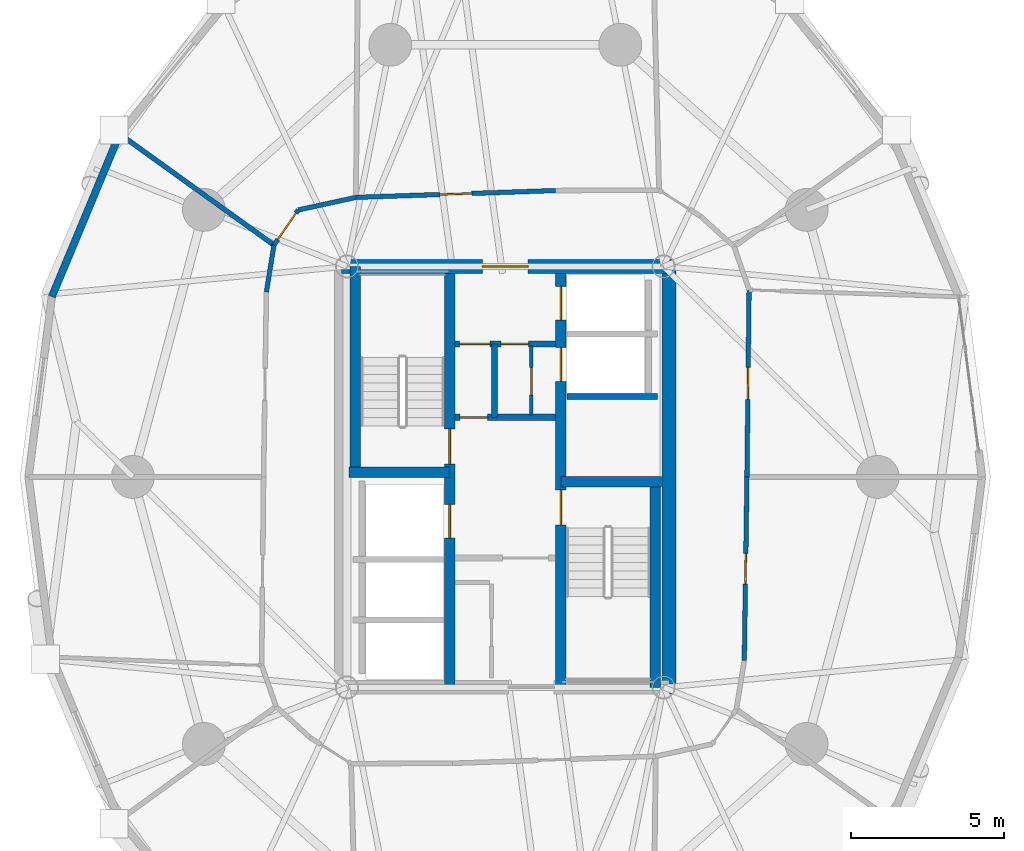
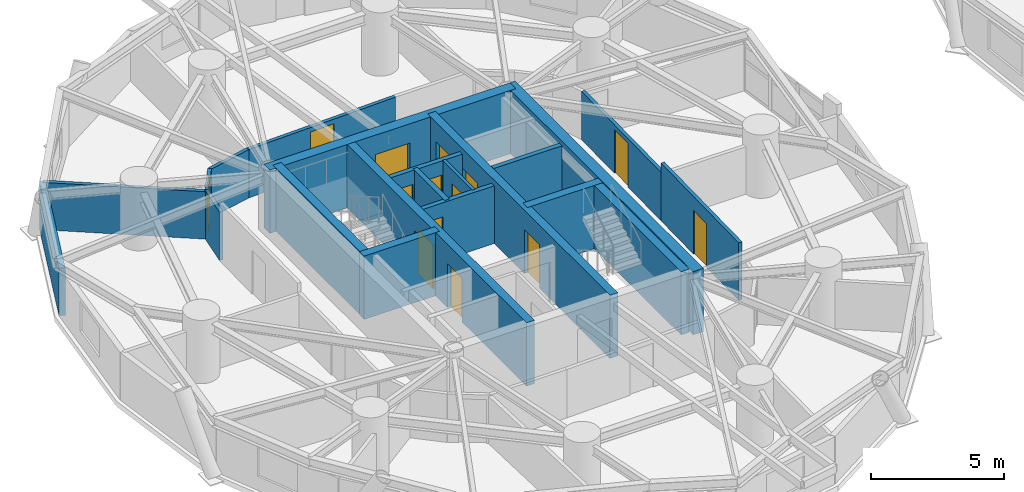
# One storey, part 11 of 19: 21 walls, 14 doors, 14 openings.
"""IFC4 building model written with IfcOpenShell, lengths in metres."""

from ifc_helpers import new_model, si_unit, direction, frame, frame_2d, origin, place, context, subcontext, project, spatial, rectangle, extrude, source, transform, mapped, material, layer, layer_set, type_object, element, fill, save


model = new_model("IFC4")

# Units and contexts
model_context = context("Model", 3, precision=1e-05, world=origin(), true_north=direction((0.0, 1.0)))
body_context = subcontext(model_context, "Body", "Model", "MODEL_VIEW")
ifc_project = project(units=[si_unit("LENGTHUNIT", "METRE"), si_unit("AREAUNIT", "SQUARE_METRE"), si_unit("VOLUMEUNIT", "CUBIC_METRE"), si_unit("PLANEANGLEUNIT", "RADIAN"), si_unit("MASSUNIT", "GRAM", prefix="KILO")], contexts=[model_context])

# Site, building, storey
site_placement = place(None, origin())
site = spatial("IfcSite", under=ifc_project, at=site_placement, CompositionType="ELEMENT")
building_placement = place(site_placement, origin())
building = spatial("IfcBuilding", under=site, at=building_placement, Name="Cununo Teusaquillo Station Towers", CompositionType="ELEMENT")
storey_placement = place(building_placement, frame((0.0, 0.0, 84.699951171875)))
storey = spatial("IfcBuildingStorey", under=building, at=storey_placement, Name="L26", CompositionType="ELEMENT", Elevation=84.699951171875)

# Wall
ifc_material_1 = material(Name="Concrete C50/60", Category="concrete")
ifc_layer_1 = layer(ifc_material_1, 0.199951171875)
ifc_layer_set_1 = layer_set([ifc_layer_1], Name="Concrete C50/60")
wall_type_1 = type_object("IfcWallType", Name="WL-CORE-200", PredefinedType="SHEAR", material=ifc_layer_set_1)
wall_1_placement = place(storey_placement, frame((18.510009765625, 27.1298828125, 0.0), z_axis=(0.0, 0.0, 1.0), x_axis=(1.0, 0.0, 0.0)))
element("IfcWall", 1, at=wall_1_placement, inside=storey, type_object=wall_type_1, Name="L26 Tower A Low-Rise Lift Hoistway South Shear Wall", PredefinedType="SHEAR", context=body_context, shape_type="SweptSolid", body=[
    extrude(rectangle(XDim=2.969970703125, YDim=0.199951171875, at=frame_2d((1.48486328125, 0.0))), origin(), (0.0, 0.0, 1.0), 2.91015625),
])

# Wall, openings, doors
ifc_material_2 = material(Name="Concrete C50/60", Category="concrete")
ifc_layer_2 = layer(ifc_material_2, 0.35009765625)
ifc_layer_set_2 = layer_set([ifc_layer_2], Name="Concrete C50/60")
wall_type_2 = type_object("IfcWallType", Name="WL-CORE-350", PredefinedType="SHEAR", material=ifc_layer_set_2)
wall_2_placement = place(storey_placement, frame((14.68505859375, 17.625, 0.0), z_axis=(0.0, 0.0, 1.0), x_axis=(0.0, 1.0, 0.0)))
wall_2 = element("IfcWall", 2, at=wall_2_placement, inside=storey, type_object=wall_type_2, Name="L26 Tower A Core Shear Wall IW", PredefinedType="SHEAR", context=body_context, shape_type="SweptSolid", body=[
    extrude(rectangle(XDim=13.75, YDim=0.35009765625, at=frame_2d((6.875, 0.0))), origin(), (0.0, 0.0, 1.0), 2.91015625),
])
shared_shape_1 = source(origin(), body_context, "Body", "SweptSolid", [
    extrude(rectangle(XDim=1.10009765625, YDim=2.014892578125, at=frame_2d((0.550048828125, 1.00732421875))), frame((0.0, 0.18505859375, 0.0), z_axis=(0.0, -1.0, 0.0), x_axis=(1.0, 0.0, 0.0)), (0.0, 0.0, 1.0), 0.3701171875),
])
opening_1_placement = place(wall_2_placement, frame((4.875, 0.0, 0.0)))
opening_1 = element("IfcOpeningElement", 3, at=opening_1_placement, cuts=wall_2, Name="Opening LD-01", PredefinedType="OPENING", context=body_context, shape_type="MappedRepresentation", body=[
    mapped(shared_shape_1, transform((0.0, 0.0, 0.0), x_axis=(1.0, 0.0, 0.0), y_axis=(0.0, 1.0, 0.0), z_axis=(0.0, 0.0, 1.0), scale=1.0)),
])
shared_shape_2 = source(origin(), body_context, "Body", "SweptSolid", [
    extrude(rectangle(XDim=1.14990234375, YDim=2.02001953125, at=frame_2d((0.574951171875, 1.010009765625))), frame((0.0, 0.18505859375, 0.0), z_axis=(0.0, -1.0, 0.0), x_axis=(1.0, 0.0, 0.0)), (0.0, 0.0, 1.0), 0.3701171875),
])
opening_2_placement = place(wall_2_placement, frame((7.294921875, 0.0, 0.0)))
opening_2 = element("IfcOpeningElement", 4, at=opening_2_placement, cuts=wall_2, Name="Opening D-ST1", PredefinedType="OPENING", context=body_context, shape_type="MappedRepresentation", body=[
    mapped(shared_shape_2, transform((0.0, 0.0, 0.0), x_axis=(1.0, 0.0, 0.0), y_axis=(0.0, 1.0, 0.0), z_axis=(0.0, 0.0, 1.0), scale=1.0)),
])
ifc_material_3 = material(Name="Galvanised fire-rated hollow steel door assembly", Category="steel")
door_type_1 = type_object("IfcDoorType", Name="DR-LIFT-1100", OperationType="SLIDING_TO_LEFT", PredefinedType="DOOR", material=ifc_material_3)
shared_shape_3 = source(origin(), body_context, "Body", "SweptSolid", [
    extrude(rectangle(XDim=1.10009765625, YDim=2.014892578125, at=frame_2d((0.550048828125, 1.00732421875))), frame((0.0, 0.02490234375, 0.0), z_axis=(0.0, -1.0, 0.0), x_axis=(1.0, 0.0, 0.0)), (0.0, 0.0, 1.0), 0.050048828125),
])
door_1_placement = place(opening_1_placement, origin())
door_1 = element("IfcDoor", 5, at=door_1_placement, inside=storey, type_object=door_type_1, Name="L26 Lift FL-T1 Sliding Landing Door", OperationType="SLIDING_TO_LEFT", OverallHeight=2.014892578125, OverallWidth=1.10009765625, PredefinedType="DOOR", context=body_context, shape_type="MappedRepresentation", body=[
    mapped(shared_shape_3, transform((0.0, 0.0, 0.0), x_axis=(1.0, 0.0, 0.0), y_axis=(0.0, 1.0, 0.0), z_axis=(0.0, 0.0, 1.0), scale=1.0)),
])
fill(opening_1, door_1)
ifc_material_4 = material(Name="Galvanised fire-rated hollow steel door assembly", Category="steel")
door_type_2 = type_object("IfcDoorType", Name="DR-STAIR-1150", OperationType="NOTDEFINED", PredefinedType="DOOR", material=ifc_material_4)
shared_shape_4 = source(origin(), body_context, "Body", "SweptSolid", [
    extrude(rectangle(XDim=1.14990234375, YDim=2.02001953125, at=frame_2d((0.574951171875, 1.010009765625))), frame((0.0, 0.02490234375, 0.0), z_axis=(0.0, -1.0, 0.0), x_axis=(1.0, 0.0, 0.0)), (0.0, 0.0, 1.0), 0.050048828125),
])
door_2_placement = place(opening_2_placement, origin())
door_2 = element("IfcDoor", 6, at=door_2_placement, inside=storey, type_object=door_type_2, Name="L26 Tower A Exit Stair 1 Fire Door", OperationType="SINGLE_SWING_LEFT", OverallHeight=2.02001953125, OverallWidth=1.14990234375, PredefinedType="DOOR", context=body_context, shape_type="MappedRepresentation", body=[
    mapped(shared_shape_4, transform((0.0, 0.0, 0.0), x_axis=(1.0, 0.0, 0.0), y_axis=(0.0, 1.0, 0.0), z_axis=(0.0, 0.0, 1.0), scale=1.0)),
])
fill(opening_2, door_2)

wall_3_placement = place(storey_placement, frame((18.31494140625, 17.625, 0.0), z_axis=(0.0, 0.0, 1.0), x_axis=(0.0, 1.0, 0.0)))
wall_3 = element("IfcWall", 7, at=wall_3_placement, inside=storey, type_object=wall_type_2, Name="L26 Tower A Core Shear Wall IE", PredefinedType="SHEAR", context=body_context, shape_type="SweptSolid", body=[
    extrude(rectangle(XDim=13.75, YDim=0.35009765625, at=frame_2d((6.875, 0.0))), origin(), (0.0, 0.0, 1.0), 2.91015625),
])
opening_3_placement = place(wall_3_placement, frame((10.0, 0.0, 0.0)))
opening_3 = element("IfcOpeningElement", 8, at=opening_3_placement, cuts=wall_3, Name="Opening LD-01", PredefinedType="OPENING", context=body_context, shape_type="MappedRepresentation", body=[
    mapped(shared_shape_1, transform((0.0, 0.0, 0.0), x_axis=(1.0, 0.0, 0.0), y_axis=(0.0, 1.0, 0.0), z_axis=(0.0, 0.0, 1.0), scale=1.0)),
])
opening_4_placement = place(wall_3_placement, frame((12.0, 0.0, 0.0)))
opening_4 = element("IfcOpeningElement", 9, at=opening_4_placement, cuts=wall_3, Name="Opening LD-01", PredefinedType="OPENING", context=body_context, shape_type="MappedRepresentation", body=[
    mapped(shared_shape_1, transform((0.0, 0.0, 0.0), x_axis=(1.0, 0.0, 0.0), y_axis=(0.0, 1.0, 0.0), z_axis=(0.0, 0.0, 1.0), scale=1.0)),
])
opening_5_placement = place(wall_3_placement, frame((5.304931640625, 0.0, 0.0)))
opening_5 = element("IfcOpeningElement", 10, at=opening_5_placement, cuts=wall_3, Name="Opening D-ST1", PredefinedType="OPENING", context=body_context, shape_type="MappedRepresentation", body=[
    mapped(shared_shape_2, transform((0.0, 0.0, 0.0), x_axis=(1.0, 0.0, 0.0), y_axis=(0.0, 1.0, 0.0), z_axis=(0.0, 0.0, 1.0), scale=1.0)),
])
door_3_placement = place(opening_3_placement, origin())
door_3 = element("IfcDoor", 11, at=door_3_placement, inside=storey, type_object=door_type_1, Name="L26 Lift PL-T1-L1 Sliding Landing Door", OperationType="SLIDING_TO_LEFT", OverallHeight=2.014892578125, OverallWidth=1.10009765625, PredefinedType="DOOR", context=body_context, shape_type="MappedRepresentation", body=[
    mapped(shared_shape_3, transform((0.0, 0.0, 0.0), x_axis=(1.0, 0.0, 0.0), y_axis=(0.0, 1.0, 0.0), z_axis=(0.0, 0.0, 1.0), scale=1.0)),
])
fill(opening_3, door_3)
door_4_placement = place(opening_4_placement, origin())
door_4 = element("IfcDoor", 12, at=door_4_placement, inside=storey, type_object=door_type_1, Name="L26 Lift PL-T1-L2 Sliding Landing Door", OperationType="SLIDING_TO_RIGHT", OverallHeight=2.014892578125, OverallWidth=1.10009765625, PredefinedType="DOOR", context=body_context, shape_type="MappedRepresentation", body=[
    mapped(shared_shape_3, transform((0.0, 0.0, 0.0), x_axis=(1.0, 0.0, 0.0), y_axis=(0.0, 1.0, 0.0), z_axis=(0.0, 0.0, 1.0), scale=1.0)),
])
fill(opening_4, door_4)
door_5_placement = place(opening_5_placement, origin())
door_5 = element("IfcDoor", 13, at=door_5_placement, inside=storey, type_object=door_type_2, Name="L26 Tower A Exit Stair 2 Fire Door", OperationType="SINGLE_SWING_RIGHT", OverallHeight=2.02001953125, OverallWidth=1.14990234375, PredefinedType="DOOR", context=body_context, shape_type="MappedRepresentation", body=[
    mapped(shared_shape_4, transform((0.0, 0.0, 0.0), x_axis=(1.0, 0.0, 0.0), y_axis=(0.0, 1.0, 0.0), z_axis=(0.0, 0.0, 1.0), scale=1.0)),
])
fill(opening_5, door_5)

# Walls
wall_4_placement = place(storey_placement, frame((11.594970703125, 24.655029296875, 0.0), z_axis=(0.0, 0.0, 1.0), x_axis=(0.0, 1.0, 0.0)))
element("IfcWall", 14, at=wall_4_placement, inside=storey, type_object=wall_type_2, Name="L26 Tower A Core Shear Wall ST1W", PredefinedType="SHEAR", context=body_context, shape_type="SweptSolid", body=[
    extrude(rectangle(XDim=6.719970703125, YDim=0.35009765625, at=frame_2d((3.35986328125, 0.0))), origin(), (0.0, 0.0, 1.0), 2.91015625),
])
wall_5_placement = place(storey_placement, frame((11.39990234375, 24.655029296875, 0.0), z_axis=(0.0, 0.0, 1.0), x_axis=(1.0, 0.0, 0.0)))
element("IfcWall", 15, at=wall_5_placement, inside=storey, type_object=wall_type_2, Name="L26 Tower A Core Shear Wall ST1S", PredefinedType="SHEAR", context=body_context, shape_type="SweptSolid", body=[
    extrude(rectangle(XDim=3.28515625, YDim=0.35009765625, at=frame_2d((1.642578125, 0.0))), origin(), (0.0, 0.0, 1.0), 2.91015625),
])
wall_6_placement = place(storey_placement, frame((21.405029296875, 17.625, 0.0), z_axis=(0.0, 0.0, 1.0), x_axis=(0.0, 1.0, 0.0)))
element("IfcWall", 16, at=wall_6_placement, inside=storey, type_object=wall_type_2, Name="L26 Tower A Core Shear Wall ST2E", PredefinedType="SHEAR", context=body_context, shape_type="SweptSolid", body=[
    extrude(rectangle(XDim=6.719970703125, YDim=0.35009765625, at=frame_2d((3.35986328125, 0.0))), origin(), (0.0, 0.0, 1.0), 2.91015625),
])
wall_7_placement = place(storey_placement, frame((18.31494140625, 24.344970703125, 0.0), z_axis=(0.0, 0.0, 1.0), x_axis=(1.0, 0.0, 0.0)))
element("IfcWall", 17, at=wall_7_placement, inside=storey, type_object=wall_type_2, Name="L26 Tower A Core Shear Wall ST2N", PredefinedType="SHEAR", context=body_context, shape_type="SweptSolid", body=[
    extrude(rectangle(XDim=3.28515625, YDim=0.35009765625, at=frame_2d((1.642578125, 0.0))), origin(), (0.0, 0.0, 1.0), 2.91015625),
])
ifc_material_5 = material(Name="Concrete C60/75", Category="concrete")
ifc_layer_3 = layer(ifc_material_5, 0.449951171875)
ifc_layer_set_3 = layer_set([ifc_layer_3], Name="Concrete C60/75")
wall_type_3 = type_object("IfcWallType", Name="WL-CORE-450", PredefinedType="SHEAR", material=ifc_layer_set_3)
wall_8_placement = place(storey_placement, frame((21.85009765625, 17.39990234375, 0.0), z_axis=(0.0, 0.0, 1.0), x_axis=(0.0, 1.0, 0.0)))
element("IfcWall", 18, at=wall_8_placement, inside=storey, type_object=wall_type_3, Name="L26 Tower A Core Shear Wall E", PredefinedType="SHEAR", context=body_context, shape_type="SweptSolid", body=[
    extrude(rectangle(XDim=14.2001953125, YDim=0.449951171875, at=frame_2d((7.10009765625, 0.0))), origin(), (0.0, 0.0, 1.0), 2.91015625),
])

# Wall, opening, door
wall_9_placement = place(storey_placement, frame((11.14990234375, 31.375, 0.0), z_axis=(0.0, 0.0, 1.0), x_axis=(1.0, 0.0, 0.0)))
wall_9 = element("IfcWall", 19, at=wall_9_placement, inside=storey, type_object=wall_type_3, Name="L26 Tower A Core Shear Wall N", PredefinedType="SHEAR", context=body_context, shape_type="SweptSolid", body=[
    extrude(rectangle(XDim=10.7001953125, YDim=0.449951171875, at=frame_2d((5.35009765625, 0.0))), origin(), (0.0, 0.0, 1.0), 2.91015625),
])
shared_shape_5 = source(origin(), body_context, "Body", "SweptSolid", [
    extrude(rectangle(XDim=1.5, YDim=2.02001953125, at=frame_2d((0.75, 1.010009765625))), frame((0.0, 0.23486328125, 0.0), z_axis=(0.0, -1.0, 0.0), x_axis=(1.0, 0.0, 0.0)), (0.0, 0.0, 1.0), 0.469970703125),
])
opening_6_placement = place(wall_9_placement, frame((4.60009765625, 0.0, 0.0)))
opening_6 = element("IfcOpeningElement", 20, at=opening_6_placement, cuts=wall_9, Name="Opening D-LB1", PredefinedType="OPENING", context=body_context, shape_type="MappedRepresentation", body=[
    mapped(shared_shape_5, transform((0.0, 0.0, 0.0), x_axis=(1.0, 0.0, 0.0), y_axis=(0.0, 1.0, 0.0), z_axis=(0.0, 0.0, 1.0), scale=1.0)),
])
ifc_material_6 = material(Name="Galvanised fire-rated hollow steel door assembly", Category="steel")
door_type_3 = type_object("IfcDoorType", Name="DR-LOBBY-1500", OperationType="DOUBLE_DOOR_SINGLE_SWING", PredefinedType="DOOR", material=ifc_material_6)
shared_shape_6 = source(origin(), body_context, "Body", "SweptSolid", [
    extrude(rectangle(XDim=1.5, YDim=2.02001953125, at=frame_2d((0.75, 1.010009765625))), frame((0.0, 0.02490234375, 0.0), z_axis=(0.0, -1.0, 0.0), x_axis=(1.0, 0.0, 0.0)), (0.0, 0.0, 1.0), 0.050048828125),
])
door_6_placement = place(opening_6_placement, origin())
door_6 = element("IfcDoor", 21, at=door_6_placement, inside=storey, type_object=door_type_3, Name="L26 Tower A North Core Lift Lobby Door", OperationType="DOUBLE_DOOR_SINGLE_SWING", OverallHeight=2.02001953125, OverallWidth=1.5, PredefinedType="DOOR", context=body_context, shape_type="MappedRepresentation", body=[
    mapped(shared_shape_6, transform((0.0, 0.0, 0.0), x_axis=(1.0, 0.0, 0.0), y_axis=(0.0, 1.0, 0.0), z_axis=(0.0, 0.0, 1.0), scale=1.0)),
])
fill(opening_6, door_6)

# Wall
ifc_material_7 = material(Name="Precast concrete C40/50", Category="concrete")
ifc_layer_4 = layer(ifc_material_7, 0.239990234375)
ifc_layer_set_4 = layer_set([ifc_layer_4], Name="Precast concrete C40/50")
wall_type_4 = type_object("IfcWallType", Name="WL-EXT-240", PredefinedType="SOLIDWALL", material=ifc_layer_set_4)
wall_10_placement = place(storey_placement, frame((1.681640625, 30.39306640625, 0.0), z_axis=(0.0, 0.0, 1.0), x_axis=(0.384344417632, 0.923189779317, 0.0)))
element("IfcWall", 22, at=wall_10_placement, inside=storey, type_object=wall_type_4, Name="L26 Tower A Exterior Facade Wall C08", PredefinedType="SOLIDWALL", context=body_context, shape_type="SweptSolid", body=[
    extrude(rectangle(XDim=5.75830078125, YDim=0.239990234375, at=frame_2d((2.879150390625, 0.0))), origin(), (0.0, 0.0, 1.0), 2.178955078125),
])

# Wall, opening, door
ifc_material_8 = material(Name="Fire-rated gypsum plasterboard partition assembly", Category="gypsum")
ifc_layer_5 = layer(ifc_material_8, 0.125)
ifc_layer_set_5 = layer_set([ifc_layer_5], Name="Fire-rated gypsum plasterboard partition assembly")
wall_type_5 = type_object("IfcWallType", Name="WL-PART-125", PredefinedType="PARTITIONING", material=ifc_layer_set_5)
wall_11_placement = place(storey_placement, frame((17.35009765625, 26.52001953125, 0.0), z_axis=(0.0, 0.0, 1.0), x_axis=(0.0, 1.0, 0.0)))
wall_11 = element("IfcWall", 23, at=wall_11_placement, inside=storey, type_object=wall_type_5, Name="L26 Tower A Core Vertical Split Wall", PredefinedType="PARTITIONING", context=body_context, shape_type="SweptSolid", body=[
    extrude(rectangle(XDim=2.260009765625, YDim=0.125, at=frame_2d((1.1298828125, 0.0))), origin(), (0.0, 0.0, 1.0), 2.655029296875),
])
shared_shape_7 = source(origin(), body_context, "Body", "SweptSolid", [
    extrude(rectangle(XDim=0.89990234375, YDim=2.0048828125, at=frame_2d((0.449951171875, 1.00244140625))), frame((0.0, 0.072509765625, 0.0), z_axis=(0.0, -1.0, 0.0), x_axis=(1.0, 0.0, 0.0)), (0.0, 0.0, 1.0), 0.14501953125),
])
opening_7_placement = place(wall_11_placement, frame((0.64990234375, 0.0, 0.0)))
opening_7 = element("IfcOpeningElement", 24, at=opening_7_placement, cuts=wall_11, Name="Opening D-SR1", PredefinedType="OPENING", context=body_context, shape_type="MappedRepresentation", body=[
    mapped(shared_shape_7, transform((0.0, 0.0, 0.0), x_axis=(1.0, 0.0, 0.0), y_axis=(0.0, 1.0, 0.0), z_axis=(0.0, 0.0, 1.0), scale=1.0)),
])
ifc_material_9 = material(Name="Galvanised fire-rated hollow steel door assembly", Category="steel")
door_type_4 = type_object("IfcDoorType", Name="DR-STORE-900", OperationType="NOTDEFINED", PredefinedType="DOOR", material=ifc_material_9)
shared_shape_8 = source(origin(), body_context, "Body", "SweptSolid", [
    extrude(rectangle(XDim=0.89990234375, YDim=2.0048828125, at=frame_2d((0.449951171875, 1.00244140625))), frame((0.0, 0.02490234375, 0.0), z_axis=(0.0, -1.0, 0.0), x_axis=(1.0, 0.0, 0.0)), (0.0, 0.0, 1.0), 0.050048828125),
])
door_7_placement = place(opening_7_placement, origin())
door_7 = element("IfcDoor", 25, at=door_7_placement, inside=storey, type_object=door_type_4, Name="L26 Tower A Core Electrical Room Door", OperationType="SINGLE_SWING_LEFT", OverallHeight=2.0048828125, OverallWidth=0.89990234375, PredefinedType="DOOR", context=body_context, shape_type="MappedRepresentation", body=[
    mapped(shared_shape_8, transform((0.0, 0.0, 0.0), x_axis=(1.0, 0.0, 0.0), y_axis=(0.0, 1.0, 0.0), z_axis=(0.0, 0.0, 1.0), scale=1.0)),
])
fill(opening_7, door_7)

ifc_material_10 = material(Name="Fire-rated gypsum plasterboard partition assembly", Category="gypsum")
ifc_layer_6 = layer(ifc_material_10, 0.14990234375)
ifc_layer_set_6 = layer_set([ifc_layer_6], Name="Fire-rated gypsum plasterboard partition assembly")
wall_type_6 = type_object("IfcWallType", Name="WL-PART-150", PredefinedType="PARTITIONING", material=ifc_layer_set_6)
wall_12_placement = place(storey_placement, frame((24.39990234375, 24.5, 0.0), z_axis=(0.0, 0.0, 1.0), x_axis=(0.011299841544, 0.999936154752, 0.0)))
wall_12 = element("IfcWall", 26, at=wall_12_placement, inside=storey, type_object=wall_type_6, Name="L26 Tower A Corridor Ring Wall C00", PredefinedType="PARTITIONING", context=body_context, shape_type="SweptSolid", body=[
    extrude(rectangle(XDim=6.114501953125, YDim=0.14990234375, at=frame_2d((3.05712890625, 0.0))), origin(), (0.0, 0.0, 1.0), 2.22509765625),
])
shared_shape_9 = source(origin(), body_context, "Body", "SweptSolid", [
    extrude(rectangle(XDim=1.050048828125, YDim=2.014892578125, at=frame_2d((0.52490234375, 1.00732421875))), frame((0.0, 0.0849609375, 0.0), z_axis=(0.0, -1.0, 0.0), x_axis=(1.0, 0.0, 0.0)), (0.0, 0.0, 1.0), 0.169921875),
])
opening_8_placement = place(wall_12_placement, frame((2.5322265625, 0.0, 0.0)))
opening_8 = element("IfcOpeningElement", 27, at=opening_8_placement, cuts=wall_12, Name="Opening D-SU1", PredefinedType="OPENING", context=body_context, shape_type="MappedRepresentation", body=[
    mapped(shared_shape_9, transform((0.0, 0.0, 0.0), x_axis=(1.0, 0.0, 0.0), y_axis=(0.0, 1.0, 0.0), z_axis=(0.0, 0.0, 1.0), scale=1.0)),
])
ifc_material_11 = material(Name="Acoustic solid-core hardwood leaf assembly", Category="wood")
door_type_5 = type_object("IfcDoorType", Name="DR-SUITE-1050", OperationType="NOTDEFINED", PredefinedType="DOOR", material=ifc_material_11)
shared_shape_10 = source(origin(), body_context, "Body", "SweptSolid", [
    extrude(rectangle(XDim=1.050048828125, YDim=2.014892578125, at=frame_2d((0.52490234375, 1.00732421875))), frame((0.0, 0.02490234375, 0.0), z_axis=(0.0, -1.0, 0.0), x_axis=(1.0, 0.0, 0.0)), (0.0, 0.0, 1.0), 0.050048828125),
])
door_8_placement = place(opening_8_placement, origin())
door_8 = element("IfcDoor", 28, at=door_8_placement, inside=storey, type_object=door_type_5, Name="L26 Tower A Senior Partners Law Chambers Entrance Door", OperationType="SINGLE_SWING_RIGHT", OverallHeight=2.014892578125, OverallWidth=1.050048828125, PredefinedType="DOOR", context=body_context, shape_type="MappedRepresentation", body=[
    mapped(shared_shape_10, transform((0.0, 0.0, 0.0), x_axis=(1.0, 0.0, 0.0), y_axis=(0.0, 1.0, 0.0), z_axis=(0.0, 0.0, 1.0), scale=1.0)),
])
fill(opening_8, door_8)

wall_13_placement = place(storey_placement, frame((18.142822265625, 33.859619140625, 0.0), z_axis=(0.0, 0.0, 1.0), x_axis=(-0.999419208319, -0.034077060363, 0.0)))
wall_13 = element("IfcWall", 29, at=wall_13_placement, inside=storey, type_object=wall_type_6, Name="L26 Tower A Corridor Ring Wall C05", PredefinedType="PARTITIONING", context=body_context, shape_type="SweptSolid", body=[
    extrude(rectangle(XDim=6.52685546875, YDim=0.14990234375, at=frame_2d((3.263427734375, 0.0))), origin(), (0.0, 0.0, 1.0), 2.22509765625),
])
opening_9_placement = place(wall_13_placement, frame((2.73828125, 0.0, 0.0)))
opening_9 = element("IfcOpeningElement", 30, at=opening_9_placement, cuts=wall_13, Name="Opening D-SU1", PredefinedType="OPENING", context=body_context, shape_type="MappedRepresentation", body=[
    mapped(shared_shape_9, transform((0.0, 0.0, 0.0), x_axis=(1.0, 0.0, 0.0), y_axis=(0.0, 1.0, 0.0), z_axis=(0.0, 0.0, 1.0), scale=1.0)),
])
door_9_placement = place(opening_9_placement, origin())
door_9 = element("IfcDoor", 31, at=door_9_placement, inside=storey, type_object=door_type_5, Name="L26 Tower A Associate Open-Plan Workplace Entrance Door", OperationType="SINGLE_SWING_LEFT", OverallHeight=2.014892578125, OverallWidth=1.050048828125, PredefinedType="DOOR", context=body_context, shape_type="MappedRepresentation", body=[
    mapped(shared_shape_10, transform((0.0, 0.0, 0.0), x_axis=(1.0, 0.0, 0.0), y_axis=(0.0, 1.0, 0.0), z_axis=(0.0, 0.0, 1.0), scale=1.0)),
])
fill(opening_9, door_9)

# Wall
wall_14_placement = place(storey_placement, frame((11.619873046875, 33.63720703125, 0.0), z_axis=(0.0, 0.0, 1.0), x_axis=(-0.97702579435, -0.213121085711, 0.0)))
element("IfcWall", 32, at=wall_14_placement, inside=storey, type_object=wall_type_6, Name="L26 Tower A Corridor Ring Wall C06", PredefinedType="PARTITIONING", context=body_context, shape_type="SweptSolid", body=[
    extrude(rectangle(XDim=1.934814453125, YDim=0.14990234375, at=frame_2d((0.96728515625, 0.0))), origin(), (0.0, 0.0, 1.0), 2.22509765625),
])

# Wall, opening, door
wall_15_placement = place(storey_placement, frame((9.7294921875, 33.224853515625, 0.0), z_axis=(0.0, 0.0, 1.0), x_axis=(-0.567183649484, -0.82359134755, 0.0)))
wall_15 = element("IfcWall", 33, at=wall_15_placement, inside=storey, type_object=wall_type_6, Name="L26 Tower A Corridor Ring Wall C07", PredefinedType="PARTITIONING", context=body_context, shape_type="SweptSolid", body=[
    extrude(rectangle(XDim=1.39208984375, YDim=0.14990234375, at=frame_2d((0.696044921875, 0.0))), origin(), (0.0, 0.0, 1.0), 2.22509765625),
])
opening_10_placement = place(wall_15_placement, frame((0.1201171875, 0.0, 0.0)))
opening_10 = element("IfcOpeningElement", 34, at=opening_10_placement, cuts=wall_15, Name="Opening D-SU1", PredefinedType="OPENING", context=body_context, shape_type="MappedRepresentation", body=[
    mapped(shared_shape_9, transform((0.0, 0.0, 0.0), x_axis=(1.0, 0.0, 0.0), y_axis=(0.0, 1.0, 0.0), z_axis=(0.0, 0.0, 1.0), scale=1.0)),
])
door_10_placement = place(opening_10_placement, origin())
door_10 = element("IfcDoor", 35, at=door_10_placement, inside=storey, type_object=door_type_5, Name="L26 Tower A Legal Research Library Entrance Door", OperationType="SINGLE_SWING_RIGHT", OverallHeight=2.014892578125, OverallWidth=1.050048828125, PredefinedType="DOOR", context=body_context, shape_type="MappedRepresentation", body=[
    mapped(shared_shape_10, transform((0.0, 0.0, 0.0), x_axis=(1.0, 0.0, 0.0), y_axis=(0.0, 1.0, 0.0), z_axis=(0.0, 0.0, 1.0), scale=1.0)),
])
fill(opening_10, door_10)

# Wall
wall_16_placement = place(storey_placement, frame((8.93994140625, 32.078369140625, 0.0), z_axis=(0.0, 0.0, 1.0), x_axis=(-0.159148467753, -0.98725466077, 0.0)))
element("IfcWall", 36, at=wall_16_placement, inside=storey, type_object=wall_type_6, Name="L26 Tower A Corridor Ring Wall C08", PredefinedType="PARTITIONING", context=body_context, shape_type="SweptSolid", body=[
    extrude(rectangle(XDim=1.553955078125, YDim=0.14990234375, at=frame_2d((0.77685546875, 0.0))), origin(), (0.0, 0.0, 1.0), 2.22509765625),
])

# Wall, opening, door
wall_17_placement = place(storey_placement, frame((24.3134765625, 18.496337890625, 0.0), z_axis=(0.0, 0.0, 1.0), x_axis=(0.014394019188, 0.999896400739, 0.0)))
wall_17 = element("IfcWall", 37, at=wall_17_placement, inside=storey, type_object=wall_type_6, Name="L26 Tower A Corridor Ring Wall C19", PredefinedType="PARTITIONING", context=body_context, shape_type="SweptSolid", body=[
    extrude(rectangle(XDim=6.00439453125, YDim=0.14990234375, at=frame_2d((3.002197265625, 0.0))), origin(), (0.0, 0.0, 1.0), 2.655029296875),
])
shared_shape_11 = source(origin(), body_context, "Body", "SweptSolid", [
    extrude(rectangle(XDim=1.0, YDim=2.014892578125, at=frame_2d((0.5, 1.00732421875))), frame((0.0, 0.0849609375, 0.0), z_axis=(0.0, -1.0, 0.0), x_axis=(1.0, 0.0, 0.0)), (0.0, 0.0, 1.0), 0.169921875),
])
opening_11_placement = place(wall_17_placement, frame((2.502197265625, 0.0, 0.0)))
opening_11 = element("IfcOpeningElement", 38, at=opening_11_placement, cuts=wall_17, Name="Opening D-AC1", PredefinedType="OPENING", context=body_context, shape_type="MappedRepresentation", body=[
    mapped(shared_shape_11, transform((0.0, 0.0, 0.0), x_axis=(1.0, 0.0, 0.0), y_axis=(0.0, 1.0, 0.0), z_axis=(0.0, 0.0, 1.0), scale=1.0)),
])
ifc_material_12 = material(Name="Acoustic solid-core hardwood leaf assembly", Category="wood")
door_type_6 = type_object("IfcDoorType", Name="DR-ACC-1000", OperationType="NOTDEFINED", PredefinedType="DOOR", material=ifc_material_12)
shared_shape_12 = source(origin(), body_context, "Body", "SweptSolid", [
    extrude(rectangle(XDim=1.0, YDim=2.014892578125, at=frame_2d((0.5, 1.00732421875))), frame((0.0, 0.02490234375, 0.0), z_axis=(0.0, -1.0, 0.0), x_axis=(1.0, 0.0, 0.0)), (0.0, 0.0, 1.0), 0.050048828125),
])
door_11_placement = place(opening_11_placement, origin())
door_11 = element("IfcDoor", 39, at=door_11_placement, inside=storey, type_object=door_type_6, Name="L26 Tower A Public Accessible Restroom WC Entrance Door", OperationType="SINGLE_SWING_LEFT", OverallHeight=2.014892578125, OverallWidth=1.0, PredefinedType="DOOR", context=body_context, shape_type="MappedRepresentation", body=[
    mapped(shared_shape_12, transform((0.0, 0.0, 0.0), x_axis=(1.0, 0.0, 0.0), y_axis=(0.0, 1.0, 0.0), z_axis=(0.0, 0.0, 1.0), scale=1.0)),
])
fill(opening_11, door_11)

# Wall
ifc_material_13 = material(Name="Fire-rated gypsum plasterboard partition assembly", Category="gypsum")
ifc_layer_7 = layer(ifc_material_13, 0.159912109375)
ifc_layer_set_7 = layer_set([ifc_layer_7], Name="Fire-rated gypsum plasterboard partition assembly")
wall_type_7 = type_object("IfcWallType", Name="WL-PART-160", PredefinedType="PARTITIONING", material=ifc_layer_set_7)
wall_18_placement = place(storey_placement, frame((8.93994140625, 32.078369140625, 0.0), z_axis=(0.0, 0.0, 1.0), x_axis=(-0.811689023641, 0.584089829479, 0.0)))
element("IfcWall", 40, at=wall_18_placement, inside=storey, type_object=wall_type_7, Name="L26 Tower A Radial Suite Partition R05", PredefinedType="PARTITIONING", context=body_context, shape_type="SweptSolid", body=[
    extrude(rectangle(XDim=6.19580078125, YDim=0.159912109375, at=frame_2d((3.097900390625, 0.0))), origin(), (0.0, 0.0, 1.0), 2.178955078125),
])

# Wall, opening, door
ifc_material_14 = material(Name="Fire-rated gypsum plasterboard partition assembly", Category="gypsum")
ifc_layer_8 = layer(ifc_material_14, 0.199951171875)
ifc_layer_set_8 = layer_set([ifc_layer_8], Name="Fire-rated gypsum plasterboard partition assembly")
wall_type_8 = type_object("IfcWallType", Name="WL-PART-200", PredefinedType="PARTITIONING", material=ifc_layer_set_8)
wall_19_placement = place(storey_placement, frame((14.860107421875, 26.449951171875, 0.0), z_axis=(0.0, 0.0, 1.0), x_axis=(1.0, 0.0, 0.0)))
wall_19 = element("IfcWall", 41, at=wall_19_placement, inside=storey, type_object=wall_type_8, Name="L26 Tower A Firefighting Lift Lobby North Fire Wall", PredefinedType="PARTITIONING", context=body_context, shape_type="SweptSolid", body=[
    extrude(rectangle(XDim=3.27978515625, YDim=0.199951171875, at=frame_2d((1.639892578125, 0.0))), origin(), (0.0, 0.0, 1.0), 2.655029296875),
])
shared_shape_13 = source(origin(), body_context, "Body", "SweptSolid", [
    extrude(rectangle(XDim=0.89990234375, YDim=2.0048828125, at=frame_2d((0.449951171875, 1.00244140625))), frame((0.0, 0.10986328125, 0.0), z_axis=(0.0, -1.0, 0.0), x_axis=(1.0, 0.0, 0.0)), (0.0, 0.0, 1.0), 0.219970703125),
])
opening_12_placement = place(wall_19_placement, frame((0.159912109375, 0.0, 0.0)))
opening_12 = element("IfcOpeningElement", 42, at=opening_12_placement, cuts=wall_19, Name="Opening D-SR1", PredefinedType="OPENING", context=body_context, shape_type="MappedRepresentation", body=[
    mapped(shared_shape_13, transform((0.0, 0.0, 0.0), x_axis=(1.0, 0.0, 0.0), y_axis=(0.0, 1.0, 0.0), z_axis=(0.0, 0.0, 1.0), scale=1.0)),
])
door_12_placement = place(opening_12_placement, origin())
door_12 = element("IfcDoor", 43, at=door_12_placement, inside=storey, type_object=door_type_4, Name="L26 Tower A Stair 1 Protected Vestibule South Door", OperationType="SINGLE_SWING_LEFT", OverallHeight=2.0048828125, OverallWidth=0.89990234375, PredefinedType="DOOR", context=body_context, shape_type="MappedRepresentation", body=[
    mapped(shared_shape_8, transform((0.0, 0.0, 0.0), x_axis=(1.0, 0.0, 0.0), y_axis=(0.0, 1.0, 0.0), z_axis=(0.0, 0.0, 1.0), scale=1.0)),
])
fill(opening_12, door_12)

# Wall
wall_20_placement = place(storey_placement, frame((16.14990234375, 26.449951171875, 0.0), z_axis=(0.0, 0.0, 1.0), x_axis=(0.0, 1.0, 0.0)))
element("IfcWall", 44, at=wall_20_placement, inside=storey, type_object=wall_type_8, Name="L26 Tower A Stair 1 Vestibule Partition Wall", PredefinedType="PARTITIONING", context=body_context, shape_type="SweptSolid", body=[
    extrude(rectangle(XDim=2.400146484375, YDim=0.199951171875, at=frame_2d((1.2001953125, 0.0))), origin(), (0.0, 0.0, 1.0), 2.655029296875),
])

# Wall, openings, doors
wall_21_placement = place(storey_placement, frame((14.860107421875, 28.85009765625, 0.0), z_axis=(0.0, 0.0, 1.0), x_axis=(1.0, 0.0, 0.0)))
wall_21 = element("IfcWall", 45, at=wall_21_placement, inside=storey, type_object=wall_type_8, Name="L26 Tower A North Lift Lobby South Fire Wall", PredefinedType="PARTITIONING", context=body_context, shape_type="SweptSolid", body=[
    extrude(rectangle(XDim=3.27978515625, YDim=0.199951171875, at=frame_2d((1.639892578125, 0.0))), origin(), (0.0, 0.0, 1.0), 2.655029296875),
])
shared_shape_14 = source(origin(), body_context, "Body", "SweptSolid", [
    extrude(rectangle(XDim=1.0, YDim=2.014892578125, at=frame_2d((0.5, 1.00732421875))), frame((0.0, 0.10986328125, 0.0), z_axis=(0.0, -1.0, 0.0), x_axis=(1.0, 0.0, 0.0)), (0.0, 0.0, 1.0), 0.219970703125),
])
opening_13_placement = place(wall_21_placement, frame((0.139892578125, 0.0, 0.0)))
opening_13 = element("IfcOpeningElement", 46, at=opening_13_placement, cuts=wall_21, Name="Opening D-AC1", PredefinedType="OPENING", context=body_context, shape_type="MappedRepresentation", body=[
    mapped(shared_shape_14, transform((0.0, 0.0, 0.0), x_axis=(1.0, 0.0, 0.0), y_axis=(0.0, 1.0, 0.0), z_axis=(0.0, 0.0, 1.0), scale=1.0)),
])
opening_14_placement = place(wall_21_placement, frame((1.5, 0.0, 0.0)))
opening_14 = element("IfcOpeningElement", 47, at=opening_14_placement, cuts=wall_21, Name="Opening D-SR1", PredefinedType="OPENING", context=body_context, shape_type="MappedRepresentation", body=[
    mapped(shared_shape_13, transform((0.0, 0.0, 0.0), x_axis=(1.0, 0.0, 0.0), y_axis=(0.0, 1.0, 0.0), z_axis=(0.0, 0.0, 1.0), scale=1.0)),
])
door_13_placement = place(opening_14_placement, origin())
door_13 = element("IfcDoor", 48, at=door_13_placement, inside=storey, type_object=door_type_4, Name="L26 Tower A Core Housekeeping Store Door", OperationType="SINGLE_SWING_RIGHT", OverallHeight=2.0048828125, OverallWidth=0.89990234375, PredefinedType="DOOR", context=body_context, shape_type="MappedRepresentation", body=[
    mapped(shared_shape_8, transform((0.0, 0.0, 0.0), x_axis=(1.0, 0.0, 0.0), y_axis=(0.0, 1.0, 0.0), z_axis=(0.0, 0.0, 1.0), scale=1.0)),
])
fill(opening_14, door_13)
door_14_placement = place(opening_13_placement, origin())
door_14 = element("IfcDoor", 49, at=door_14_placement, inside=storey, type_object=door_type_6, Name="L26 Tower A North Lift Lobby to Stair 1 Vestibule Door", OperationType="SINGLE_SWING_RIGHT", OverallHeight=2.014892578125, OverallWidth=1.0, PredefinedType="DOOR", context=body_context, shape_type="MappedRepresentation", body=[
    mapped(shared_shape_12, transform((0.0, 0.0, 0.0), x_axis=(1.0, 0.0, 0.0), y_axis=(0.0, 1.0, 0.0), z_axis=(0.0, 0.0, 1.0), scale=1.0)),
])
fill(opening_13, door_14)

save(model, "model.ifc")
